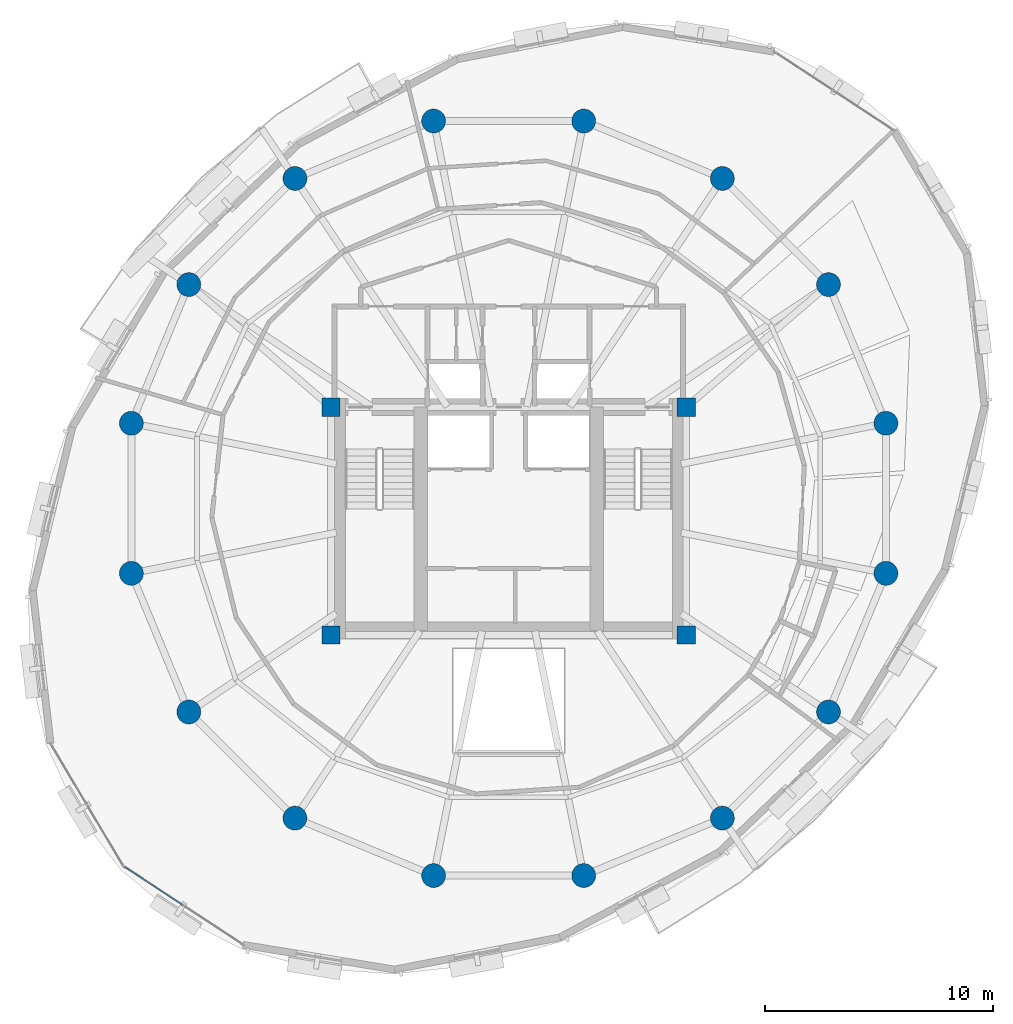
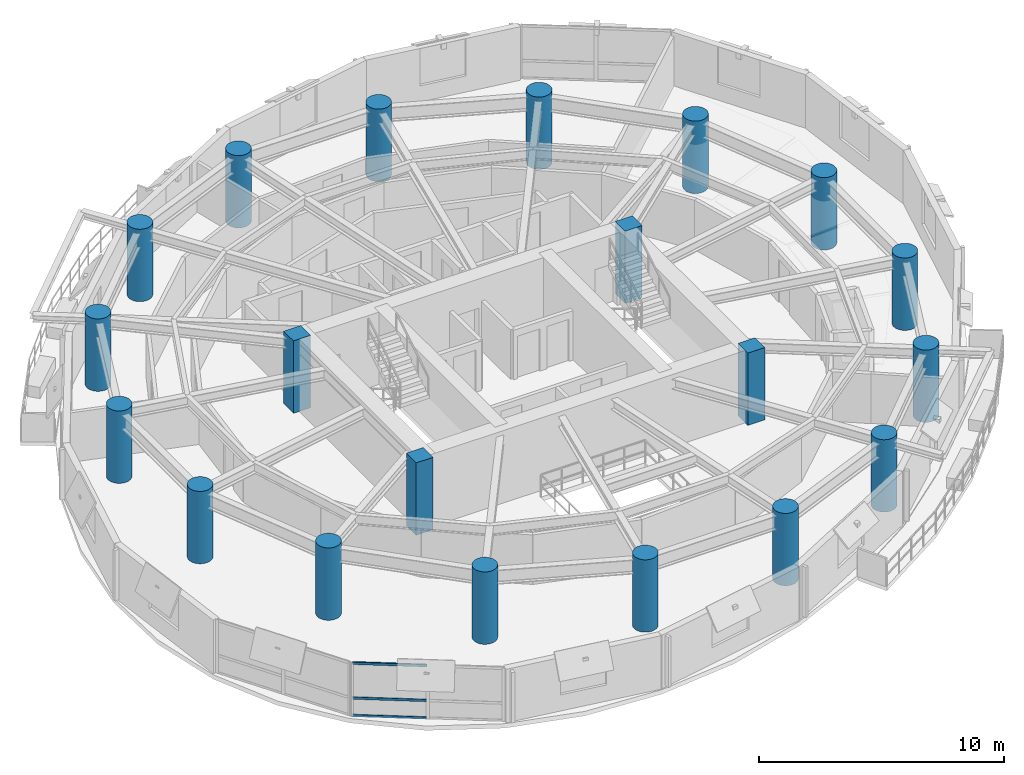
# One storey, part 1 of 12: 20 columns, 3 members, 1 element without a shape of its own.
"""IFC4 building model written with IfcOpenShell, lengths in metres."""

from ifc_helpers import new_model, si_unit, direction, frame, origin, origin_2d, place, context, subcontext, project, spatial, rectangle, hollow_rectangle, circle, extrude, material, layer, layer_set, material_profile, profile_set, type_object, element, aggregate, save


model = new_model("IFC4")

# Units and contexts
model_context = context("Model", 3, precision=1e-05, world=origin(), true_north=direction((0.0, 1.0)))
body_context = subcontext(model_context, "Body", "Model", "MODEL_VIEW")
ifc_project = project(units=[si_unit("LENGTHUNIT", "METRE"), si_unit("AREAUNIT", "SQUARE_METRE"), si_unit("VOLUMEUNIT", "CUBIC_METRE"), si_unit("PLANEANGLEUNIT", "RADIAN"), si_unit("MASSUNIT", "GRAM", prefix="KILO"), si_unit("THERMODYNAMICTEMPERATUREUNIT", "KELVIN"), si_unit("POWERUNIT", "WATT")], contexts=[model_context])

# Site, building, storey
site_placement = place(None, origin())
site = spatial("IfcSite", under=ifc_project, at=site_placement, CompositionType="ELEMENT")
building_placement = place(site_placement, origin())
building = spatial("IfcBuilding", under=site, at=building_placement, Name="Ocrelia Relay Tower", CompositionType="ELEMENT")
storey_placement = place(building_placement, frame((0.0, 0.0, 213.199951171875)))
storey = spatial("IfcBuildingStorey", under=building, at=storey_placement, Name="L52", CompositionType="ELEMENT", Elevation=213.199951171875)

# Columns
ifc_material_1 = material(Name="Concrete C60/75", Category="concrete")
ifc_material_profile_1 = material_profile(ifc_material_1, circle(Radius=0.52490234375, at=origin_2d()), Name="RC-CIR-1050")
ifc_profile_set_1 = profile_set([ifc_material_profile_1], Name="Concrete C60/75")
column_type_1 = type_object("IfcColumnType", Name="COL-CT-1050", PredefinedType="COLUMN", material=ifc_profile_set_1)
for number, where, z_axis, x_axis, name in (
    (1, (50.5751953125, 29.297119140625, 0.0), (0.0, 0.0, 1.0), (1.0, 0.0, 0.0), "L52 Perimeter Ring Column C01"),
    (2, (48.0517578125, 35.38916015625, 0.0), (0.0, 0.0, 1.0), (1.0, 0.0, 0.0), "L52 Perimeter Ring Column C02"),
    (3, (43.38916015625, 40.0517578125, 0.0), (0.0, 0.0, 1.0), (1.0, 0.0, 0.0), "L52 Perimeter Ring Column C03"),
    (4, (37.297119140625, 42.5751953125, 0.0), (0.0, 0.0, 1.0), (1.0, 0.0, 0.0), "L52 Perimeter Ring Column C04"),
    (5, (30.702880859375, 42.5751953125, 0.0), (0.0, 0.0, 1.0), (1.0, 0.0, 0.0), "L52 Perimeter Ring Column C05"),
    (6, (24.61083984375, 40.0517578125, 0.0), (0.0, 0.0, 1.0), (1.0, 0.0, 0.0), "L52 Perimeter Ring Column C06"),
    (7, (19.9482421875, 35.38916015625, 0.0), (0.0, 0.0, 1.0), (1.0, 0.0, 0.0), "L52 Perimeter Ring Column C07"),
    (8, (17.4248046875, 29.297119140625, 0.0), (0.0, 0.0, 1.0), (1.0, 0.0, 0.0), "L52 Perimeter Ring Column C08"),
    (9, (17.4248046875, 22.702880859375, 0.0), (0.0, 0.0, 1.0), (1.0, 0.0, 0.0), "L52 Perimeter Ring Column C09"),
    (10, (19.9482421875, 16.61083984375, 0.0), (0.0, 0.0, 1.0), (1.0, 0.0, 0.0), "L52 Perimeter Ring Column C10"),
    (11, (24.61083984375, 11.9482421875, 0.0), (0.0, 0.0, 1.0), (1.0, 0.0, 0.0), "L52 Perimeter Ring Column C11"),
    (12, (30.702880859375, 9.4248046875, 0.0), (0.0, 0.0, 1.0), (1.0, 0.0, 0.0), "L52 Perimeter Ring Column C12"),
    (13, (37.297119140625, 9.4248046875, 0.0), (0.0, 0.0, 1.0), (1.0, 0.0, 0.0), "L52 Perimeter Ring Column C13"),
    (14, (43.38916015625, 11.9482421875, 0.0), (0.0, 0.0, 1.0), (1.0, 0.0, 0.0), "L52 Perimeter Ring Column C14"),
    (15, (48.0517578125, 16.61083984375, 0.0), (0.0, 0.0, 1.0), (1.0, 0.0, 0.0), "L52 Perimeter Ring Column C15"),
    (16, (50.5751953125, 22.702880859375, 0.0), (0.0, 0.0, 1.0), (1.0, 0.0, 0.0), "L52 Perimeter Ring Column C16"),
):
    element("IfcColumn", number, at=place(storey_placement, frame(where, z_axis=z_axis, x_axis=x_axis)), inside=storey, type_object=column_type_1, Name=name, PredefinedType="COLUMN", context=body_context, shape_type="SweptSolid", body=[
        extrude(circle(Radius=0.52490234375, at=origin_2d()), origin(), (0.0, 0.0, 1.0), 3.60009765625),
    ])
ifc_material_profile_2 = material_profile(ifc_material_1, rectangle(XDim=0.800048828125, YDim=0.800048828125, at=origin_2d()), Name="RC-COL-800x800")
ifc_profile_set_2 = profile_set([ifc_material_profile_2], Name="Concrete C60/75")
column_type_2 = type_object("IfcColumnType", Name="COL-PILASTER-800", PredefinedType="PILASTER", material=ifc_profile_set_2)
for number, where, z_axis, x_axis, name in (
    (17, (26.199951171875, 20.0, 0.0), (0.0, 0.0, 1.0), (1.0, 0.0, 0.0), "L52 Core Corner Pilaster SW"),
    (18, (41.800048828125, 20.0, 0.0), (0.0, 0.0, 1.0), (1.0, 0.0, 0.0), "L52 Core Corner Pilaster SE"),
    (19, (26.199951171875, 30.0, 0.0), (0.0, 0.0, 1.0), (1.0, 0.0, 0.0), "L52 Core Corner Pilaster NW"),
    (20, (41.800048828125, 30.0, 0.0), (0.0, 0.0, 1.0), (1.0, 0.0, 0.0), "L52 Core Corner Pilaster NE"),
):
    element("IfcColumn", number, at=place(storey_placement, frame(where, z_axis=z_axis, x_axis=x_axis)), inside=storey, type_object=column_type_2, Name=name, PredefinedType="PILASTER", context=body_context, shape_type="SweptSolid", body=[
        extrude(rectangle(XDim=0.800048828125, YDim=0.800048828125, at=origin_2d()), origin(), (0.0, 0.0, 1.0), 3.60009765625),
    ])

# Curtain wall, members
ifc_material_2 = material(Name="Aluminium and solar-control low-E glass", Category="aluminium")
ifc_layer = layer(ifc_material_2, 0.179931640625, Name="Aluminium and solar-control low-E glass")
ifc_layer_set = layer_set([ifc_layer], Name="Aluminium and solar-control low-E glass")
curtain_wall_type = type_object("IfcCurtainWallType", Name="CW-SYS-Z3-CLOU", PredefinedType="NOTDEFINED", material=ifc_layer_set)
curtain_wall_placement = place(storey_placement, origin())
curtain_wall = element("IfcCurtainWall", 21, at=curtain_wall_placement, inside=storey, type_object=curtain_wall_type, Name="L52 Elliptical Tower Curtain Wall Bay 10", PredefinedType="NOTDEFINED")
ifc_material_3 = material(Name="Anodised bronze aluminium", Category="aluminium")
ifc_material_profile_3 = material_profile(ifc_material_3, hollow_rectangle(XDim=0.06005859375, YDim=0.1201171875, WallThickness=0.0048828125, at=origin_2d()), Name="CW-TRN-120x60")
ifc_profile_set_3 = profile_set([ifc_material_profile_3], Name="Anodised bronze aluminium")
member_type = type_object("IfcMemberType", Name="CW-SYS-Z3-CLOU-TRN", PredefinedType="USERDEFINED", material=ifc_profile_set_3)
member_1_placement = place(storey_placement, frame((17.136962890625, 9.797607421875, 0.030029296875), z_axis=(0.835636054561, -0.549283519066, 0.0), x_axis=(0.549283519066, 0.835636054561, 0.0)))
member_1 = element("IfcMember", 22, at=member_1_placement, type_object=member_type, Name="CW-Z3 transom 1.1", ObjectType="TRANSOM", PredefinedType="USERDEFINED", context=body_context, shape_type="SweptSolid", body=[
    extrude(hollow_rectangle(XDim=0.06005859375, YDim=0.1201171875, WallThickness=0.0048828125, at=origin_2d()), origin(), (0.0, 0.0, 1.0), 3.043701171875),
])
member_2_placement = place(storey_placement, frame((17.136962890625, 9.797607421875, 0.900146484375), z_axis=(0.835636054561, -0.549283519066, 0.0), x_axis=(0.549283519066, 0.835636054561, 0.0)))
member_2 = element("IfcMember", 23, at=member_2_placement, type_object=member_type, Name="CW-Z3 transom 1.2", ObjectType="TRANSOM", PredefinedType="USERDEFINED", context=body_context, shape_type="SweptSolid", body=[
    extrude(hollow_rectangle(XDim=0.06005859375, YDim=0.1201171875, WallThickness=0.0048828125, at=origin_2d()), origin(), (0.0, 0.0, 1.0), 3.043701171875),
])
member_3_placement = place(storey_placement, frame((17.136962890625, 9.797607421875, 2.630126953125), z_axis=(0.835636054561, -0.549283519066, 0.0), x_axis=(0.549283519066, 0.835636054561, 0.0)))
member_3 = element("IfcMember", 24, at=member_3_placement, type_object=member_type, Name="CW-Z3 transom 1.3", ObjectType="TRANSOM", PredefinedType="USERDEFINED", context=body_context, shape_type="SweptSolid", body=[
    extrude(hollow_rectangle(XDim=0.06005859375, YDim=0.1201171875, WallThickness=0.0048828125, at=origin_2d()), origin(), (0.0, 0.0, 1.0), 3.043701171875),
])
aggregate(curtain_wall, [member_1, member_2, member_3])

save(model, "model.ifc")
